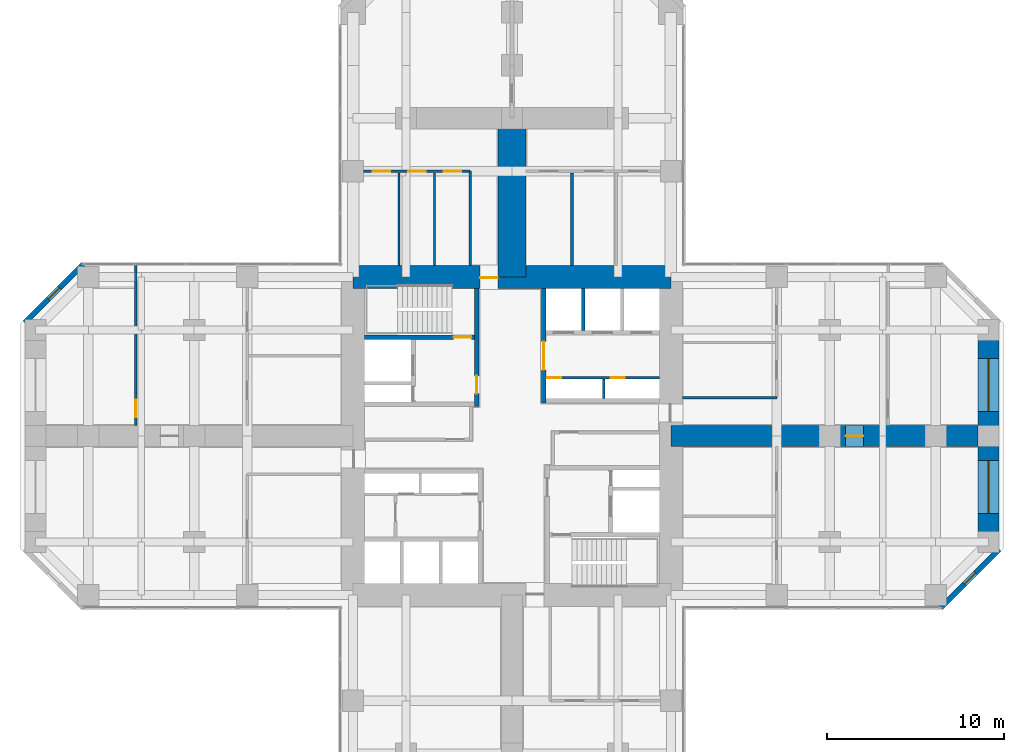
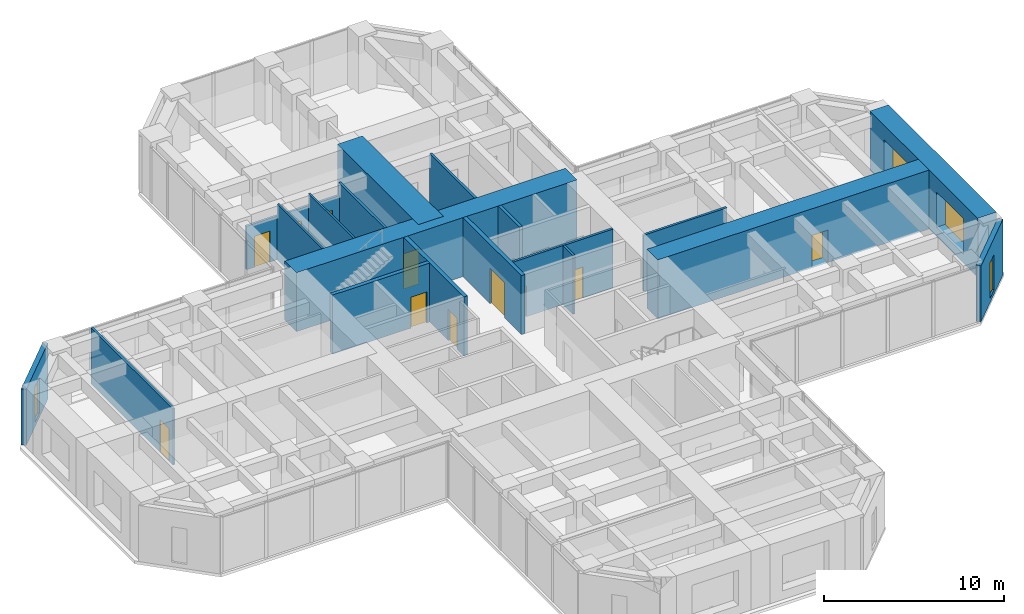
# One storey, part 10 of 12: 19 walls, 11 doors, 4 windows, 15 openings.
"""IFC4 building model written with IfcOpenShell, lengths in metres."""

from ifc_helpers import new_model, si_unit, direction, frame, frame_2d, origin, place, context, subcontext, project, spatial, rectangle, hollow_rectangle, extrude, material, layer, layer_set, constituent, constituent_set, type_object, element, fill, save


model = new_model("IFC4")

# Units and contexts
model_context = context("Model", 3, precision=1e-05, world=origin(), true_north=direction((0.0, 1.0)))
body_context = subcontext(model_context, "Body", "Model", "MODEL_VIEW")
ifc_project = project(units=[si_unit("LENGTHUNIT", "METRE"), si_unit("AREAUNIT", "SQUARE_METRE"), si_unit("VOLUMEUNIT", "CUBIC_METRE"), si_unit("PLANEANGLEUNIT", "RADIAN"), si_unit("MASSUNIT", "GRAM", prefix="KILO")], contexts=[model_context])

# Site, building, storey
site_placement = place(None, origin())
site = spatial("IfcSite", under=ifc_project, at=site_placement, CompositionType="ELEMENT")
building_placement = place(site_placement, origin())
building = spatial("IfcBuilding", under=site, at=building_placement, Name="Torre Cruceta", CompositionType="ELEMENT")
storey_placement = place(building_placement, frame((0.0, 0.0, 87.5)))
storey = spatial("IfcBuildingStorey", under=building, at=storey_placement, Name="L21", CompositionType="ELEMENT", Elevation=87.5)

# Wall, opening, door
ifc_material_1 = material(Name="Concrete G60 (fck 60 MPa)", Category="concrete")
ifc_layer_1 = layer(ifc_material_1, 0.25)
ifc_layer_set_1 = layer_set([ifc_layer_1], Name="Concrete G60 (fck 60 MPa)")
wall_type_1 = type_object("IfcWallType", Name="CORE INNER WALL 250 G60", PredefinedType="SHEAR", material=ifc_layer_set_1)
wall_1_placement = place(storey_placement, frame((1.800048828125, 1.875, 0.0), z_axis=(0.0, 0.0, 1.0), x_axis=(0.0, 1.0, 0.0)))
wall_1 = element("IfcWall", 1, at=wall_1_placement, inside=storey, type_object=wall_type_1, Name="CW4 L21 NE-CU", PredefinedType="SHEAR", context=body_context, shape_type="SweptSolid", body=[
    extrude(rectangle(XDim=6.47509765625, YDim=0.25, at=frame_2d((3.237548828125, 0.0))), origin(), (0.0, 0.0, 1.0), 4.0),
])
opening_1_placement = place(wall_1_placement, frame((1.875, 0.0, 0.0)))
opening_1 = element("IfcOpeningElement", 2, at=opening_1_placement, cuts=wall_1, Name="Opening D8", PredefinedType="OPENING", context=body_context, shape_type="SweptSolid", body=[
    extrude(rectangle(XDim=1.60009765625, YDim=2.39990234375, at=frame_2d((0.800048828125, 1.199951171875))), frame((0.0, 0.135009765625, 0.0), z_axis=(0.0, -1.0, 0.0), x_axis=(1.0, 0.0, 0.0)), (0.0, 0.0, 1.0), 0.27001953125),
])
ifc_material_2 = material(Name="Steel DX51D", Category="steel")
ifc_constituent_1 = constituent(ifc_material_2, Name="Leaf and frame")
ifc_material_3 = material(Name="Polyester powder coating", Category="paint")
ifc_constituent_2 = constituent(ifc_material_3, Name="Finish")
ifc_material_4 = material(Name="Fire-resisting glass", Category="glass")
ifc_constituent_3 = constituent(ifc_material_4, Name="Vision panel")
ifc_constituent_set_1 = constituent_set(constituents=[ifc_constituent_1, ifc_constituent_2, ifc_constituent_3], Name="Steel fire door with vision panels")
door_type_1 = type_object("IfcDoorType", Name="LIFT LOBBY DOUBLE DOOR 1600X2400", OperationType="DOUBLE_DOOR_DOUBLE_SWING", PredefinedType="DOOR", material=ifc_constituent_set_1)
door_1_placement = place(opening_1_placement, origin())
door_1 = element("IfcDoor", 3, at=door_1_placement, inside=storey, type_object=door_type_1, Name="D8 L21 NE-LOBBY", OperationType="DOUBLE_DOOR_DOUBLE_SWING", OverallHeight=2.39990234375, OverallWidth=1.60009765625, PredefinedType="DOOR", context=body_context, shape_type="SweptSolid", body=[
    extrude(rectangle(XDim=1.60009765625, YDim=2.39990234375, at=frame_2d((0.800048828125, 1.199951171875))), frame((0.0, 0.02490234375, 0.0), z_axis=(0.0, -1.0, 0.0), x_axis=(1.0, 0.0, 0.0)), (0.0, 0.0, 1.0), 0.050048828125),
])
fill(opening_1, door_1)

wall_2_placement = place(storey_placement, frame((-2.0, 1.675048828125, 0.0), z_axis=(0.0, 0.0, 1.0), x_axis=(0.0, 1.0, 0.0)))
wall_2 = element("IfcWall", 4, at=wall_2_placement, inside=storey, type_object=wall_type_1, Name="CW4 L21 NW-CU", PredefinedType="SHEAR", context=body_context, shape_type="SweptSolid", body=[
    extrude(rectangle(XDim=6.675048828125, YDim=0.25, at=frame_2d((3.33740234375, 0.0))), origin(), (0.0, 0.0, 1.0), 4.0),
])
opening_2_placement = place(wall_2_placement, frame((0.72509765625, 0.0, 0.0)))
opening_2 = element("IfcOpeningElement", 5, at=opening_2_placement, cuts=wall_2, Name="Opening D3", PredefinedType="OPENING", context=body_context, shape_type="SweptSolid", body=[
    extrude(rectangle(XDim=1.0, YDim=2.10009765625, at=frame_2d((0.5, 1.050048828125))), frame((0.0, 0.135009765625, 0.0), z_axis=(0.0, -1.0, 0.0), x_axis=(1.0, 0.0, 0.0)), (0.0, 0.0, 1.0), 0.27001953125),
])
ifc_material_5 = material(Name="Steel DX51D", Category="steel")
ifc_constituent_4 = constituent(ifc_material_5, Name="Leaf and frame")
ifc_material_6 = material(Name="Polyester powder coating", Category="paint")
ifc_constituent_5 = constituent(ifc_material_6, Name="Finish")
ifc_constituent_set_2 = constituent_set(constituents=[ifc_constituent_4, ifc_constituent_5], Name="Steel fire door")
door_type_2 = type_object("IfcDoorType", Name="FIRE DOOR 1000X2100", OperationType="SINGLE_SWING_LEFT", PredefinedType="DOOR", material=ifc_constituent_set_2)
door_2_placement = place(opening_2_placement, origin())
door_2 = element("IfcDoor", 6, at=door_2_placement, inside=storey, type_object=door_type_2, Name="D3 L21 NW-LOBBY", OperationType="SINGLE_SWING_LEFT", OverallHeight=2.10009765625, OverallWidth=1.0, PredefinedType="DOOR", context=body_context, shape_type="SweptSolid", body=[
    extrude(rectangle(XDim=1.0, YDim=2.10009765625, at=frame_2d((0.5, 1.050048828125))), frame((0.0, 0.02490234375, 0.0), z_axis=(0.0, -1.0, 0.0), x_axis=(1.0, 0.0, 0.0)), (0.0, 0.0, 1.0), 0.050048828125),
])
fill(opening_2, door_2)

wall_3_placement = place(storey_placement, frame((-2.125, 5.60009765625, 0.0), z_axis=(0.0, 0.0, 1.0), x_axis=(-1.0, 0.0, 0.0)))
wall_3 = element("IfcWall", 7, at=wall_3_placement, inside=storey, type_object=wall_type_1, Name="CW4 L21 NW-SV", PredefinedType="SHEAR", context=body_context, shape_type="SweptSolid", body=[
    extrude(rectangle(XDim=6.22509765625, YDim=0.25, at=frame_2d((3.112548828125, 0.0))), origin(), (0.0, 0.0, 1.0), 4.0),
])
opening_3_placement = place(wall_3_placement, frame((0.175048828125, 0.0, 0.0)))
opening_3 = element("IfcOpeningElement", 8, at=opening_3_placement, cuts=wall_3, Name="Opening D3", PredefinedType="OPENING", context=body_context, shape_type="SweptSolid", body=[
    extrude(rectangle(XDim=1.0, YDim=2.10009765625, at=frame_2d((0.5, 1.050048828125))), frame((0.0, 0.135009765625, 0.0), z_axis=(0.0, -1.0, 0.0), x_axis=(1.0, 0.0, 0.0)), (0.0, 0.0, 1.0), 0.27001953125),
])
door_3_placement = place(opening_3_placement, frame((1.0, 0.0, 0.0), z_axis=(0.0, 0.0, 1.0), x_axis=(-1.0, 0.0, 0.0)))
door_3 = element("IfcDoor", 9, at=door_3_placement, inside=storey, type_object=door_type_2, Name="D3 L21 NW-STAIR", OperationType="SINGLE_SWING_RIGHT", OverallHeight=2.10009765625, OverallWidth=1.0, PredefinedType="DOOR", context=body_context, shape_type="SweptSolid", body=[
    extrude(rectangle(XDim=1.0, YDim=2.10009765625, at=frame_2d((0.5, 1.050048828125))), frame((0.0, 0.025146484375, 0.0), z_axis=(0.0, -1.0, 0.0), x_axis=(1.0, 0.0, 0.0)), (0.0, 0.0, 1.0), 0.050048828125),
])
fill(opening_3, door_3)

ifc_material_7 = material(Name="Concrete G60 (fck 60 MPa)", Category="concrete")
ifc_layer_2 = layer(ifc_material_7, 1.300048828125)
ifc_layer_set_2 = layer_set([ifc_layer_2], Name="Concrete G60 (fck 60 MPa)")
wall_type_2 = type_object("IfcWallType", Name="CORE WALL 1300 G60", PredefinedType="SHEAR", material=ifc_layer_set_2)
wall_4_placement = place(storey_placement, frame((9.0, 9.0, 0.0), z_axis=(0.0, 0.0, 1.0), x_axis=(-1.0, 0.0, 0.0)))
wall_4 = element("IfcWall", 10, at=wall_4_placement, inside=storey, type_object=wall_type_2, Name="CW1 L21 CW-N", PredefinedType="SHEAR", context=body_context, shape_type="SweptSolid", body=[
    extrude(rectangle(XDim=18.0, YDim=1.300048828125, at=frame_2d((9.0, 0.0))), origin(), (0.0, 0.0, 1.0), 4.0),
])
opening_4_placement = place(wall_4_placement, frame((9.800048828125, 0.0, 0.0)))
opening_4 = element("IfcOpeningElement", 11, at=opening_4_placement, cuts=wall_4, Name="Opening D4", PredefinedType="OPENING", context=body_context, shape_type="SweptSolid", body=[
    extrude(rectangle(XDim=1.0, YDim=2.39990234375, at=frame_2d((0.5, 1.199951171875))), frame((0.0, 0.659912109375, 0.0), z_axis=(0.0, -1.0, 0.0), x_axis=(1.0, 0.0, 0.0)), (0.0, 0.0, 1.0), 1.320068359375),
])
ifc_material_8 = material(Name="Steel DX51D", Category="steel")
ifc_constituent_6 = constituent(ifc_material_8, Name="Leaf and frame")
ifc_material_9 = material(Name="Polyester powder coating", Category="paint")
ifc_constituent_7 = constituent(ifc_material_9, Name="Finish")
ifc_constituent_set_3 = constituent_set(constituents=[ifc_constituent_6, ifc_constituent_7], Name="Steel fire door")
door_type_3 = type_object("IfcDoorType", Name="CORE ARM DOOR 1000X2400", OperationType="SINGLE_SWING_RIGHT", PredefinedType="DOOR", material=ifc_constituent_set_3)
door_4_placement = place(opening_4_placement, frame((1.0, 0.0, 0.0), z_axis=(0.0, 0.0, 1.0), x_axis=(-1.0, 0.0, 0.0)))
door_4 = element("IfcDoor", 12, at=door_4_placement, inside=storey, type_object=door_type_3, Name="D4 L21 CW-N", OperationType="SINGLE_SWING_RIGHT", OverallHeight=2.39990234375, OverallWidth=1.0, PredefinedType="DOOR", context=body_context, shape_type="SweptSolid", body=[
    extrude(rectangle(XDim=1.0, YDim=2.39990234375, at=frame_2d((0.5, 1.199951171875))), frame((0.0, -0.005126953125, 0.0), z_axis=(0.0, -1.0, 0.0), x_axis=(1.0, 0.0, 0.0)), (0.0, 0.0, 1.0), 0.050048828125),
])
fill(opening_4, door_4)

# Wall, opening, window
ifc_material_10 = material(Name="Concrete G30 (fck 30 MPa)", Category="concrete")
ifc_layer_3 = layer(ifc_material_10, 0.300048828125)
ifc_layer_set_3 = layer_set([ifc_layer_3], Name="Concrete G30 (fck 30 MPa)")
wall_type_3 = type_object("IfcWallType", Name="EXPOSED CONCRETE FACADE WALL 300", PredefinedType="SOLIDWALL", material=ifc_layer_set_3)
wall_5_placement = place(storey_placement, frame((24.29833984375, -9.719970703125, 0.0), z_axis=(0.0, 0.0, 1.0), x_axis=(0.707106781187, 0.707106781187, 0.0)))
wall_5 = element("IfcWall", 13, at=wall_5_placement, inside=storey, type_object=wall_type_3, Name="EW1 facade wall L21 E chamfer 01", PredefinedType="SOLIDWALL", context=body_context, shape_type="SweptSolid", body=[
    extrude(rectangle(XDim=4.66943359375, YDim=0.300048828125, at=frame_2d((2.334716796875, 0.0))), origin(), (0.0, 0.0, 1.0), 3.800048828125),
])
opening_5_placement = place(wall_5_placement, frame((1.884765625, 0.0, 0.300048828125)))
opening_5 = element("IfcOpeningElement", 14, at=opening_5_placement, cuts=wall_5, Name="Opening WN5", PredefinedType="OPENING", context=body_context, shape_type="SweptSolid", body=[
    extrude(rectangle(XDim=0.89990234375, YDim=2.39990234375, at=frame_2d((0.449951171875, 1.199951171875))), frame((0.0, 0.159912109375, 0.0), z_axis=(0.0, -1.0, 0.0), x_axis=(1.0, 0.0, 0.0)), (0.0, 0.0, 1.0), 0.320068359375),
])
ifc_material_11 = material(Name="Aluminium window frame", Category="aluminium")
ifc_constituent_8 = constituent(ifc_material_11, Name="Frame")
ifc_material_12 = material(Name="Laminated insulating glass unit, low-iron clear", Category="glass")
ifc_constituent_9 = constituent(ifc_material_12, Name="Glazing")
ifc_constituent_set_4 = constituent_set(constituents=[ifc_constituent_8, ifc_constituent_9], Name="Aluminium window")
window_type_1 = type_object("IfcWindowType", Name="CHAMFER SLOT WINDOW 900X2400", PartitioningType="SINGLE_PANEL", PredefinedType="WINDOW", material=ifc_constituent_set_4)
window_1_placement = place(opening_5_placement, origin())
window_1 = element("IfcWindow", 15, at=window_1_placement, inside=storey, type_object=window_type_1, Name="WN5 L21 E 1", OverallHeight=2.39990234375, OverallWidth=0.89990234375, PartitioningType="SINGLE_PANEL", PredefinedType="WINDOW", context=body_context, shape_type="SweptSolid", body=[
    extrude(hollow_rectangle(XDim=0.89990234375, YDim=2.39990234375, WallThickness=0.06005859375, at=frame_2d((0.449951171875, 1.199951171875))), frame((0.0, 0.030029296875, 0.0), z_axis=(0.0, -1.0, 0.0), x_axis=(1.0, 0.0, 0.0)), (0.0, 0.0, 1.0), 0.06005859375),
    extrude(rectangle(XDim=0.77880859375, YDim=2.27880859375, at=frame_2d((0.449951171875, 1.199951171875))), frame((0.0, 0.030029296875, 0.0), z_axis=(0.0, -1.0, 0.0), x_axis=(1.0, 0.0, 0.0)), (0.0, 0.0, 1.0), 0.06005859375),
])
fill(opening_5, window_1)

wall_6_placement = place(storey_placement, frame((-24.29833984375, 9.719970703125, 0.0), z_axis=(0.0, 0.0, 1.0), x_axis=(-0.707106781187, -0.707106781187, 0.0)))
wall_6 = element("IfcWall", 16, at=wall_6_placement, inside=storey, type_object=wall_type_3, Name="EW1 facade wall L21 W chamfer 11", PredefinedType="SOLIDWALL", context=body_context, shape_type="SweptSolid", body=[
    extrude(rectangle(XDim=4.66943359375, YDim=0.300048828125, at=frame_2d((2.334716796875, 0.0))), origin(), (0.0, 0.0, 1.0), 3.800048828125),
])
opening_6_placement = place(wall_6_placement, frame((1.884765625, 0.0, 0.300048828125)))
opening_6 = element("IfcOpeningElement", 17, at=opening_6_placement, cuts=wall_6, Name="Opening WN5", PredefinedType="OPENING", context=body_context, shape_type="SweptSolid", body=[
    extrude(rectangle(XDim=0.89990234375, YDim=2.39990234375, at=frame_2d((0.449951171875, 1.199951171875))), frame((0.0, 0.159912109375, 0.0), z_axis=(0.0, -1.0, 0.0), x_axis=(1.0, 0.0, 0.0)), (0.0, 0.0, 1.0), 0.320068359375),
])
window_2_placement = place(opening_6_placement, origin())
window_2 = element("IfcWindow", 18, at=window_2_placement, inside=storey, type_object=window_type_1, Name="WN5 L21 W 1", OverallHeight=2.39990234375, OverallWidth=0.89990234375, PartitioningType="SINGLE_PANEL", PredefinedType="WINDOW", context=body_context, shape_type="SweptSolid", body=[
    extrude(hollow_rectangle(XDim=0.89990234375, YDim=2.39990234375, WallThickness=0.06005859375, at=frame_2d((0.449951171875, 1.199951171875))), frame((0.0, 0.030029296875, 0.0), z_axis=(0.0, -1.0, 0.0), x_axis=(1.0, 0.0, 0.0)), (0.0, 0.0, 1.0), 0.06005859375),
    extrude(rectangle(XDim=0.77880859375, YDim=2.27880859375, at=frame_2d((0.449951171875, 1.199951171875))), frame((0.0, 0.030029296875, 0.0), z_axis=(0.0, -1.0, 0.0), x_axis=(1.0, 0.0, 0.0)), (0.0, 0.0, 1.0), 0.06005859375),
])
fill(opening_6, window_2)

# Wall
ifc_material_13 = material(Name="Concrete G35 (fck 35 MPa)", Category="concrete")
ifc_layer_4 = layer(ifc_material_13, 0.199951171875)
ifc_layer_set_4 = layer_set([ifc_layer_4], Name="Concrete G35 (fck 35 MPa)")
wall_type_4 = type_object("IfcWallType", Name="LIFT SHAFT WALL 200", PredefinedType="PARTITIONING", material=ifc_layer_set_4)
wall_7_placement = place(storey_placement, frame((4.033447265625, 5.97509765625, 0.0), z_axis=(0.0, 0.0, 1.0), x_axis=(0.0, 1.0, 0.0)))
element("IfcWall", 19, at=wall_7_placement, inside=storey, type_object=wall_type_4, Name="SW1 L21 NE-LS1", PredefinedType="PARTITIONING", context=body_context, shape_type="SweptSolid", body=[
    extrude(rectangle(XDim=2.375, YDim=0.199951171875, at=frame_2d((1.1875, 0.0))), origin(), (0.0, 0.0, 1.0), 4.0),
])

# Wall, openings, windows
ifc_material_14 = material(Name="Concrete G60 (fck 60 MPa)", Category="concrete")
ifc_layer_5 = layer(ifc_material_14, 1.199951171875)
ifc_layer_set_5 = layer_set([ifc_layer_5], Name="Concrete G60 (fck 60 MPa)")
wall_type_5 = type_object("IfcWallType", Name="NOSE WALL 1200 G60", PredefinedType="SHEAR", material=ifc_layer_set_5)
wall_8_placement = place(storey_placement, frame((27.0, -6.0, 0.0), z_axis=(0.0, 0.0, 1.0), x_axis=(0.0, 1.0, 0.0)))
wall_8 = element("IfcWall", 20, at=wall_8_placement, inside=storey, type_object=wall_type_5, Name="NW1 nose wall L21 E", PredefinedType="SHEAR", context=body_context, shape_type="SweptSolid", body=[
    extrude(rectangle(XDim=12.0, YDim=1.199951171875, at=frame_2d((6.0, 0.0))), origin(), (0.0, 0.0, 1.0), 4.0),
])
opening_7_placement = place(wall_8_placement, frame((1.60009765625, 0.0, 0.60009765625)))
opening_7 = element("IfcOpeningElement", 21, at=opening_7_placement, cuts=wall_8, Name="Opening WN6", PredefinedType="OPENING", context=body_context, shape_type="SweptSolid", body=[
    extrude(rectangle(XDim=3.0, YDim=2.39990234375, at=frame_2d((1.5, 1.199951171875))), frame((0.0, 0.60986328125, 0.0), z_axis=(0.0, -1.0, 0.0), x_axis=(1.0, 0.0, 0.0)), (0.0, 0.0, 1.0), 1.219970703125),
])
opening_8_placement = place(wall_8_placement, frame((7.39990234375, 0.0, 0.60009765625)))
opening_8 = element("IfcOpeningElement", 22, at=opening_8_placement, cuts=wall_8, Name="Opening WN6", PredefinedType="OPENING", context=body_context, shape_type="SweptSolid", body=[
    extrude(rectangle(XDim=3.0, YDim=2.39990234375, at=frame_2d((1.5, 1.199951171875))), frame((0.0, 0.60986328125, 0.0), z_axis=(0.0, -1.0, 0.0), x_axis=(1.0, 0.0, 0.0)), (0.0, 0.0, 1.0), 1.219970703125),
])
ifc_material_15 = material(Name="Aluminium window frame", Category="aluminium")
ifc_constituent_10 = constituent(ifc_material_15, Name="Frame")
ifc_material_16 = material(Name="Laminated insulating glass unit, low-iron clear", Category="glass")
ifc_constituent_11 = constituent(ifc_material_16, Name="Glazing")
ifc_constituent_set_5 = constituent_set(constituents=[ifc_constituent_10, ifc_constituent_11], Name="Aluminium window")
window_type_2 = type_object("IfcWindowType", Name="NOSE WALL WINDOW 3000X2400", PartitioningType="SINGLE_PANEL", PredefinedType="WINDOW", material=ifc_constituent_set_5)
window_3_placement = place(opening_7_placement, origin())
window_3 = element("IfcWindow", 23, at=window_3_placement, inside=storey, type_object=window_type_2, Name="WN6 L21 E 1", OverallHeight=2.39990234375, OverallWidth=3.0, PartitioningType="SINGLE_PANEL", PredefinedType="WINDOW", context=body_context, shape_type="SweptSolid", body=[
    extrude(hollow_rectangle(XDim=3.0, YDim=2.39990234375, WallThickness=0.06005859375, at=frame_2d((1.5, 1.199951171875))), frame((0.0, 0.030029296875, 0.0), z_axis=(0.0, -1.0, 0.0), x_axis=(1.0, 0.0, 0.0)), (0.0, 0.0, 1.0), 0.06005859375),
    extrude(rectangle(XDim=2.87890625, YDim=2.27880859375, at=frame_2d((1.5, 1.199951171875))), frame((0.0, 0.030029296875, 0.0), z_axis=(0.0, -1.0, 0.0), x_axis=(1.0, 0.0, 0.0)), (0.0, 0.0, 1.0), 0.06005859375),
])
fill(opening_7, window_3)
window_4_placement = place(opening_8_placement, origin())
window_4 = element("IfcWindow", 24, at=window_4_placement, inside=storey, type_object=window_type_2, Name="WN6 L21 E 2", OverallHeight=2.39990234375, OverallWidth=3.0, PartitioningType="SINGLE_PANEL", PredefinedType="WINDOW", context=body_context, shape_type="SweptSolid", body=[
    extrude(hollow_rectangle(XDim=3.0, YDim=2.39990234375, WallThickness=0.06005859375, at=frame_2d((1.5, 1.199951171875))), frame((0.0, 0.030029296875, 0.0), z_axis=(0.0, -1.0, 0.0), x_axis=(1.0, 0.0, 0.0)), (0.0, 0.0, 1.0), 0.06005859375),
    extrude(rectangle(XDim=2.87890625, YDim=2.27880859375, at=frame_2d((1.5, 1.199951171875))), frame((0.0, 0.030029296875, 0.0), z_axis=(0.0, -1.0, 0.0), x_axis=(1.0, 0.0, 0.0)), (0.0, 0.0, 1.0), 0.06005859375),
])
fill(opening_8, window_4)

# Wall, openings, doors
ifc_material_17 = material(Name="Plasterboard on steel studs", Category="steel")
ifc_layer_6 = layer(ifc_material_17, 0.14990234375)
ifc_layer_set_6 = layer_set([ifc_layer_6], Name="Plasterboard on steel studs")
wall_type_6 = type_object("IfcWallType", Name="PARTITION 150", PredefinedType="PARTITIONING", material=ifc_layer_set_6)
wall_9_placement = place(storey_placement, frame((-2.375, 15.0, 0.0), z_axis=(0.0, 0.0, 1.0), x_axis=(-1.0, 0.0, 0.0)))
wall_9 = element("IfcWall", 25, at=wall_9_placement, inside=storey, type_object=wall_type_6, Name="PT1 L21-N-BFL", PredefinedType="PARTITIONING", context=body_context, shape_type="SweptSolid", body=[
    extrude(rectangle(XDim=6.02490234375, YDim=0.14990234375, at=frame_2d((3.012451171875, 0.0))), origin(), (0.0, 0.0, 1.0), 2.949951171875),
])
opening_9_placement = place(wall_9_placement, frame((0.504150390625, 0.0, 0.0)))
opening_9 = element("IfcOpeningElement", 26, at=opening_9_placement, cuts=wall_9, Name="Opening D3", PredefinedType="OPENING", context=body_context, shape_type="SweptSolid", body=[
    extrude(rectangle(XDim=1.0, YDim=2.10009765625, at=frame_2d((0.5, 1.050048828125))), frame((0.0, 0.0849609375, 0.0), z_axis=(0.0, -1.0, 0.0), x_axis=(1.0, 0.0, 0.0)), (0.0, 0.0, 1.0), 0.169921875),
])
opening_10_placement = place(wall_9_placement, frame((2.512451171875, 0.0, 0.0)))
opening_10 = element("IfcOpeningElement", 27, at=opening_10_placement, cuts=wall_9, Name="Opening D3", PredefinedType="OPENING", context=body_context, shape_type="SweptSolid", body=[
    extrude(rectangle(XDim=1.0, YDim=2.10009765625, at=frame_2d((0.5, 1.050048828125))), frame((0.0, 0.0849609375, 0.0), z_axis=(0.0, -1.0, 0.0), x_axis=(1.0, 0.0, 0.0)), (0.0, 0.0, 1.0), 0.169921875),
])
opening_11_placement = place(wall_9_placement, frame((4.520751953125, 0.0, 0.0)))
opening_11 = element("IfcOpeningElement", 28, at=opening_11_placement, cuts=wall_9, Name="Opening D3", PredefinedType="OPENING", context=body_context, shape_type="SweptSolid", body=[
    extrude(rectangle(XDim=1.0, YDim=2.10009765625, at=frame_2d((0.5, 1.050048828125))), frame((0.0, 0.0849609375, 0.0), z_axis=(0.0, -1.0, 0.0), x_axis=(1.0, 0.0, 0.0)), (0.0, 0.0, 1.0), 0.169921875),
])
door_5_placement = place(opening_9_placement, origin())
door_5 = element("IfcDoor", 29, at=door_5_placement, inside=storey, type_object=door_type_2, Name="D3 L21-N-BFL-D1", OperationType="SINGLE_SWING_LEFT", OverallHeight=2.10009765625, OverallWidth=1.0, PredefinedType="DOOR", context=body_context, shape_type="SweptSolid", body=[
    extrude(rectangle(XDim=1.0, YDim=2.10009765625, at=frame_2d((0.5, 1.050048828125))), frame((0.0, 0.02490234375, 0.0), z_axis=(0.0, -1.0, 0.0), x_axis=(1.0, 0.0, 0.0)), (0.0, 0.0, 1.0), 0.050048828125),
])
fill(opening_9, door_5)
door_6_placement = place(opening_10_placement, origin())
door_6 = element("IfcDoor", 30, at=door_6_placement, inside=storey, type_object=door_type_2, Name="D3 L21-N-BFL-D2", OperationType="SINGLE_SWING_LEFT", OverallHeight=2.10009765625, OverallWidth=1.0, PredefinedType="DOOR", context=body_context, shape_type="SweptSolid", body=[
    extrude(rectangle(XDim=1.0, YDim=2.10009765625, at=frame_2d((0.5, 1.050048828125))), frame((0.0, 0.02490234375, 0.0), z_axis=(0.0, -1.0, 0.0), x_axis=(1.0, 0.0, 0.0)), (0.0, 0.0, 1.0), 0.050048828125),
])
fill(opening_10, door_6)
door_7_placement = place(opening_11_placement, origin())
door_7 = element("IfcDoor", 31, at=door_7_placement, inside=storey, type_object=door_type_2, Name="D3 L21-N-BFL-D3", OperationType="SINGLE_SWING_LEFT", OverallHeight=2.10009765625, OverallWidth=1.0, PredefinedType="DOOR", context=body_context, shape_type="SweptSolid", body=[
    extrude(rectangle(XDim=1.0, YDim=2.10009765625, at=frame_2d((0.5, 1.050048828125))), frame((0.0, 0.02490234375, 0.0), z_axis=(0.0, -1.0, 0.0), x_axis=(1.0, 0.0, 0.0)), (0.0, 0.0, 1.0), 0.050048828125),
])
fill(opening_11, door_7)

# Walls
wall_10_placement = place(storey_placement, frame((-2.375, 9.64990234375, 0.0), z_axis=(0.0, 0.0, 1.0), x_axis=(0.0, 1.0, 0.0)))
element("IfcWall", 32, at=wall_10_placement, inside=storey, type_object=wall_type_6, Name="PT1 L21-N-BSL", PredefinedType="PARTITIONING", context=body_context, shape_type="SweptSolid", body=[
    extrude(rectangle(XDim=5.35009765625, YDim=0.14990234375, at=frame_2d((2.675048828125, 0.0))), origin(), (0.0, 0.0, 1.0), 3.800048828125),
])
wall_11_placement = place(storey_placement, frame((3.39990234375, 9.64990234375, 0.0), z_axis=(0.0, 0.0, 1.0), x_axis=(0.0, 1.0, 0.0)))
element("IfcWall", 33, at=wall_11_placement, inside=storey, type_object=wall_type_6, Name="PT1 L21-N-BDR1", PredefinedType="PARTITIONING", context=body_context, shape_type="SweptSolid", body=[
    extrude(rectangle(XDim=5.25, YDim=0.14990234375, at=frame_2d((2.625, 0.0))), origin(), (0.0, 0.0, 1.0), 3.800048828125),
])
wall_12_placement = place(storey_placement, frame((9.64990234375, 2.175048828125, 0.0), z_axis=(0.0, 0.0, 1.0), x_axis=(1.0, 0.0, 0.0)))
element("IfcWall", 34, at=wall_12_placement, inside=storey, type_object=wall_type_6, Name="PT1 L21-E-BSL", PredefinedType="PARTITIONING", context=body_context, shape_type="SweptSolid", body=[
    extrude(rectangle(XDim=5.35009765625, YDim=0.14990234375, at=frame_2d((2.675048828125, 0.0))), origin(), (0.0, 0.0, 1.0), 3.800048828125),
])

# Wall, opening, door
wall_13_placement = place(storey_placement, frame((-21.320068359375, 9.679931640625, 0.0), z_axis=(0.0, 0.0, 1.0), x_axis=(0.0, -1.0, 0.0)))
wall_13 = element("IfcWall", 35, at=wall_13_placement, inside=storey, type_object=wall_type_6, Name="PT1 L21-W-TWR", PredefinedType="PARTITIONING", context=body_context, shape_type="SweptSolid", body=[
    extrude(rectangle(XDim=9.079833984375, YDim=0.14990234375, at=frame_2d((4.5400390625, 0.0))), origin(), (0.0, 0.0, 1.0), 3.800048828125),
])
opening_12_placement = place(wall_13_placement, frame((7.6298828125, 0.0, 0.0)))
opening_12 = element("IfcOpeningElement", 36, at=opening_12_placement, cuts=wall_13, Name="Opening D14", PredefinedType="OPENING", context=body_context, shape_type="SweptSolid", body=[
    extrude(rectangle(XDim=1.0, YDim=2.199951171875, at=frame_2d((0.5, 1.10009765625))), frame((0.0, 0.0849609375, 0.0), z_axis=(0.0, -1.0, 0.0), x_axis=(1.0, 0.0, 0.0)), (0.0, 0.0, 1.0), 0.169921875),
])
ifc_material_18 = material(Name="Steel DX51D", Category="steel")
ifc_constituent_12 = constituent(ifc_material_18, Name="Leaf and frame")
ifc_material_19 = material(Name="Polyester powder coating", Category="paint")
ifc_constituent_13 = constituent(ifc_material_19, Name="Finish")
ifc_material_20 = material(Name="Fire-resisting glass", Category="glass")
ifc_constituent_14 = constituent(ifc_material_20, Name="Vision panel")
ifc_constituent_set_6 = constituent_set(constituents=[ifc_constituent_12, ifc_constituent_13, ifc_constituent_14], Name="Steel fire door with vision panel")
door_type_4 = type_object("IfcDoorType", Name="FIRE DOOR VISION PANEL 1000X2200", OperationType="SINGLE_SWING_RIGHT", PredefinedType="DOOR", material=ifc_constituent_set_6)
door_8_placement = place(opening_12_placement, frame((1.0, 0.0, 0.0), z_axis=(0.0, 0.0, 1.0), x_axis=(-1.0, 0.0, 0.0)))
door_8 = element("IfcDoor", 37, at=door_8_placement, inside=storey, type_object=door_type_4, Name="D14 L21-W-TWR-D1", OperationType="SINGLE_SWING_LEFT", OverallHeight=2.199951171875, OverallWidth=1.0, PredefinedType="DOOR", context=body_context, shape_type="SweptSolid", body=[
    extrude(rectangle(XDim=1.0, YDim=2.199951171875, at=frame_2d((0.5, 1.10009765625))), frame((0.0, 0.025146484375, 0.0), z_axis=(0.0, -1.0, 0.0), x_axis=(1.0, 0.0, 0.0)), (0.0, 0.0, 1.0), 0.050048828125),
])
fill(opening_12, door_8)

# Wall, openings, doors
ifc_material_21 = material(Name="Concrete block masonry", Category="masonry")
ifc_layer_7 = layer(ifc_material_21, 0.14990234375)
ifc_layer_set_7 = layer_set([ifc_layer_7], Name="Concrete block masonry")
wall_type_7 = type_object("IfcWallType", Name="RISER WALL 150", PredefinedType="PARTITIONING", material=ifc_layer_set_7)
wall_14_placement = place(storey_placement, frame((1.925048828125, 3.300048828125, 0.0), z_axis=(0.0, 0.0, 1.0), x_axis=(1.0, 0.0, 0.0)))
wall_14 = element("IfcWall", 38, at=wall_14_placement, inside=storey, type_object=wall_type_7, Name="SW7 L21 NE-RV", PredefinedType="PARTITIONING", context=body_context, shape_type="SweptSolid", body=[
    extrude(rectangle(XDim=6.425048828125, YDim=0.14990234375, at=frame_2d((3.21240234375, 0.0))), origin(), (0.0, 0.0, 1.0), 4.0),
])
opening_13_placement = place(wall_14_placement, frame((0.074951171875, 0.0, 0.0)))
opening_13 = element("IfcOpeningElement", 39, at=opening_13_placement, cuts=wall_14, Name="Opening D5", PredefinedType="OPENING", context=body_context, shape_type="SweptSolid", body=[
    extrude(rectangle(XDim=0.800048828125, YDim=2.10009765625, at=frame_2d((0.39990234375, 1.050048828125))), frame((0.0, 0.0849609375, 0.0), z_axis=(0.0, -1.0, 0.0), x_axis=(1.0, 0.0, 0.0)), (0.0, 0.0, 1.0), 0.169921875),
])
opening_14_placement = place(wall_14_placement, frame((3.675048828125, 0.0, 0.0)))
opening_14 = element("IfcOpeningElement", 40, at=opening_14_placement, cuts=wall_14, Name="Opening D5", PredefinedType="OPENING", context=body_context, shape_type="SweptSolid", body=[
    extrude(rectangle(XDim=0.800048828125, YDim=2.10009765625, at=frame_2d((0.39990234375, 1.050048828125))), frame((0.0, 0.0849609375, 0.0), z_axis=(0.0, -1.0, 0.0), x_axis=(1.0, 0.0, 0.0)), (0.0, 0.0, 1.0), 0.169921875),
])
ifc_material_22 = material(Name="Steel DX51D", Category="steel")
ifc_constituent_15 = constituent(ifc_material_22, Name="Leaf and frame")
ifc_material_23 = material(Name="Polyester powder coating", Category="paint")
ifc_constituent_16 = constituent(ifc_material_23, Name="Finish")
ifc_constituent_set_7 = constituent_set(constituents=[ifc_constituent_15, ifc_constituent_16], Name="Steel fire door")
door_type_5 = type_object("IfcDoorType", Name="RISER ACCESS DOOR 800X2100", OperationType="SINGLE_SWING_LEFT", PredefinedType="DOOR", material=ifc_constituent_set_7)
door_9_placement = place(opening_13_placement, frame((0.800048828125, 0.0, 0.0), z_axis=(0.0, 0.0, 1.0), x_axis=(-1.0, 0.0, 0.0)))
door_9 = element("IfcDoor", 41, at=door_9_placement, inside=storey, type_object=door_type_5, Name="D5 L21 NE-RISER1", OperationType="SINGLE_SWING_RIGHT", OverallHeight=2.10009765625, OverallWidth=0.800048828125, PredefinedType="DOOR", context=body_context, shape_type="SweptSolid", body=[
    extrude(rectangle(XDim=0.800048828125, YDim=2.10009765625, at=frame_2d((0.400146484375, 1.050048828125))), frame((0.0, 0.025146484375, 0.0), z_axis=(0.0, -1.0, 0.0), x_axis=(1.0, 0.0, 0.0)), (0.0, 0.0, 1.0), 0.050048828125),
])
fill(opening_13, door_9)
door_10_placement = place(opening_14_placement, frame((0.800048828125, 0.0, 0.0), z_axis=(0.0, 0.0, 1.0), x_axis=(-1.0, 0.0, 0.0)))
door_10 = element("IfcDoor", 42, at=door_10_placement, inside=storey, type_object=door_type_5, Name="D5 L21 NE-RISER2", OperationType="SINGLE_SWING_RIGHT", OverallHeight=2.10009765625, OverallWidth=0.800048828125, PredefinedType="DOOR", context=body_context, shape_type="SweptSolid", body=[
    extrude(rectangle(XDim=0.800048828125, YDim=2.10009765625, at=frame_2d((0.400146484375, 1.050048828125))), frame((0.0, 0.025146484375, 0.0), z_axis=(0.0, -1.0, 0.0), x_axis=(1.0, 0.0, 0.0)), (0.0, 0.0, 1.0), 0.050048828125),
])
fill(opening_14, door_10)

# Wall
wall_15_placement = place(storey_placement, frame((5.199951171875, 2.125, 0.0), z_axis=(0.0, 0.0, 1.0), x_axis=(0.0, 1.0, 0.0)))
element("IfcWall", 43, at=wall_15_placement, inside=storey, type_object=wall_type_7, Name="SW7 L21 NE-RU", PredefinedType="PARTITIONING", context=body_context, shape_type="SweptSolid", body=[
    extrude(rectangle(XDim=1.10009765625, YDim=0.14990234375, at=frame_2d((0.550048828125, 0.0))), origin(), (0.0, 0.0, 1.0), 4.0),
])

# Wall, opening, door
ifc_material_24 = material(Name="Concrete G60 (fck 60 MPa)", Category="concrete")
ifc_layer_8 = layer(ifc_material_24, 1.199951171875)
ifc_layer_set_8 = layer_set([ifc_layer_8], Name="Concrete G60 (fck 60 MPa)")
wall_type_8 = type_object("IfcWallType", Name="SPINE WALL 1200 G60", PredefinedType="SHEAR", material=ifc_layer_set_8)
wall_16_placement = place(storey_placement, frame((9.0, 0.0, 0.0), z_axis=(0.0, 0.0, 1.0), x_axis=(1.0, 0.0, 0.0)))
wall_16 = element("IfcWall", 44, at=wall_16_placement, inside=storey, type_object=wall_type_8, Name="SW3 spine wall L21 E", PredefinedType="SHEAR", context=body_context, shape_type="SweptSolid", body=[
    extrude(rectangle(XDim=18.0, YDim=1.199951171875, at=frame_2d((9.0, 0.0))), origin(), (0.0, 0.0, 1.0), 4.0),
])
opening_15_placement = place(wall_16_placement, frame((9.89990234375, 0.0, 0.0)))
opening_15 = element("IfcOpeningElement", 45, at=opening_15_placement, cuts=wall_16, Name="Opening D14", PredefinedType="OPENING", context=body_context, shape_type="SweptSolid", body=[
    extrude(rectangle(XDim=1.0, YDim=2.199951171875, at=frame_2d((0.5, 1.10009765625))), frame((0.0, 0.60986328125, 0.0), z_axis=(0.0, -1.0, 0.0), x_axis=(1.0, 0.0, 0.0)), (0.0, 0.0, 1.0), 1.219970703125),
])
door_11_placement = place(opening_15_placement, origin())
door_11 = element("IfcDoor", 46, at=door_11_placement, inside=storey, type_object=door_type_4, Name="D14 L21-E-SP1", OperationType="SINGLE_SWING_RIGHT", OverallHeight=2.199951171875, OverallWidth=1.0, PredefinedType="DOOR", context=body_context, shape_type="SweptSolid", body=[
    extrude(rectangle(XDim=1.0, YDim=2.199951171875, at=frame_2d((0.5, 1.10009765625))), frame((0.0, 0.02490234375, 0.0), z_axis=(0.0, -1.0, 0.0), x_axis=(1.0, 0.0, 0.0)), (0.0, 0.0, 1.0), 0.050048828125),
])
fill(opening_15, door_11)

# Walls
ifc_material_25 = material(Name="Concrete G60 (fck 60 MPa)", Category="concrete")
ifc_layer_9 = layer(ifc_material_25, 1.60009765625)
ifc_layer_set_9 = layer_set([ifc_layer_9], Name="Concrete G60 (fck 60 MPa)")
wall_type_9 = type_object("IfcWallType", Name="SPINE WALL 1600 G60", PredefinedType="SHEAR", material=ifc_layer_set_9)
wall_17_placement = place(storey_placement, frame((0.0, 9.0, 0.0), z_axis=(0.0, 0.0, 1.0), x_axis=(0.0, 1.0, 0.0)))
element("IfcWall", 47, at=wall_17_placement, inside=storey, type_object=wall_type_9, Name="SW2 spine wall L21 N", PredefinedType="SHEAR", context=body_context, shape_type="SweptSolid", body=[
    extrude(rectangle(XDim=9.0, YDim=1.60009765625, at=frame_2d((4.5, 0.0))), origin(), (0.0, 0.0, 1.0), 4.0),
])
ifc_material_26 = material(Name="Plasterboard on steel studs", Category="steel")
ifc_layer_10 = layer(ifc_material_26, 0.1201171875)
ifc_layer_set_10 = layer_set([ifc_layer_10], Name="Plasterboard on steel studs")
wall_type_10 = type_object("IfcWallType", Name="WC PARTITION 120", PredefinedType="PLUMBINGWALL", material=ifc_layer_set_10)
for number, where, z_axis, x_axis, name in (
    (48, (-4.38330078125, 9.64990234375, 0.0), (0.0, 0.0, 1.0), (0.0, 1.0, 0.0), "PT5 L21-N-BDL1"),
    (49, (-6.3916015625, 9.64990234375, 0.0), (0.0, 0.0, 1.0), (0.0, 1.0, 0.0), "PT5 L21-N-BDL2"),
):
    element("IfcWall", number, at=place(storey_placement, frame(where, z_axis=z_axis, x_axis=x_axis)), inside=storey, type_object=wall_type_10, Name=name, PredefinedType="PLUMBINGWALL", context=body_context, shape_type="SweptSolid", body=[
        extrude(rectangle(XDim=5.25, YDim=0.1201171875, at=frame_2d((2.625, 0.0))), origin(), (0.0, 0.0, 1.0), 3.800048828125),
    ])

save(model, "model.ifc")
